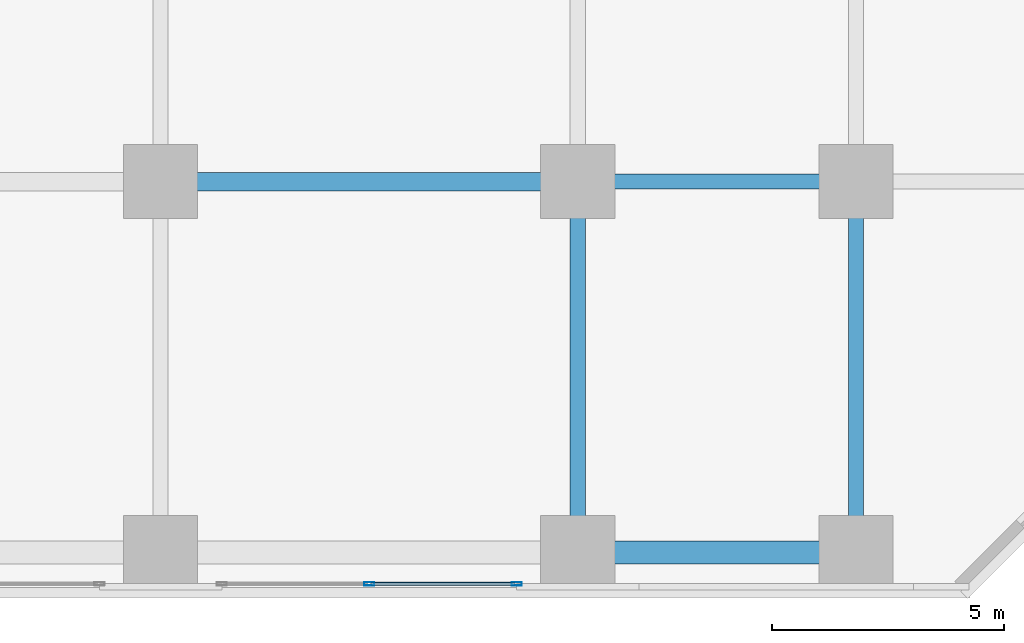
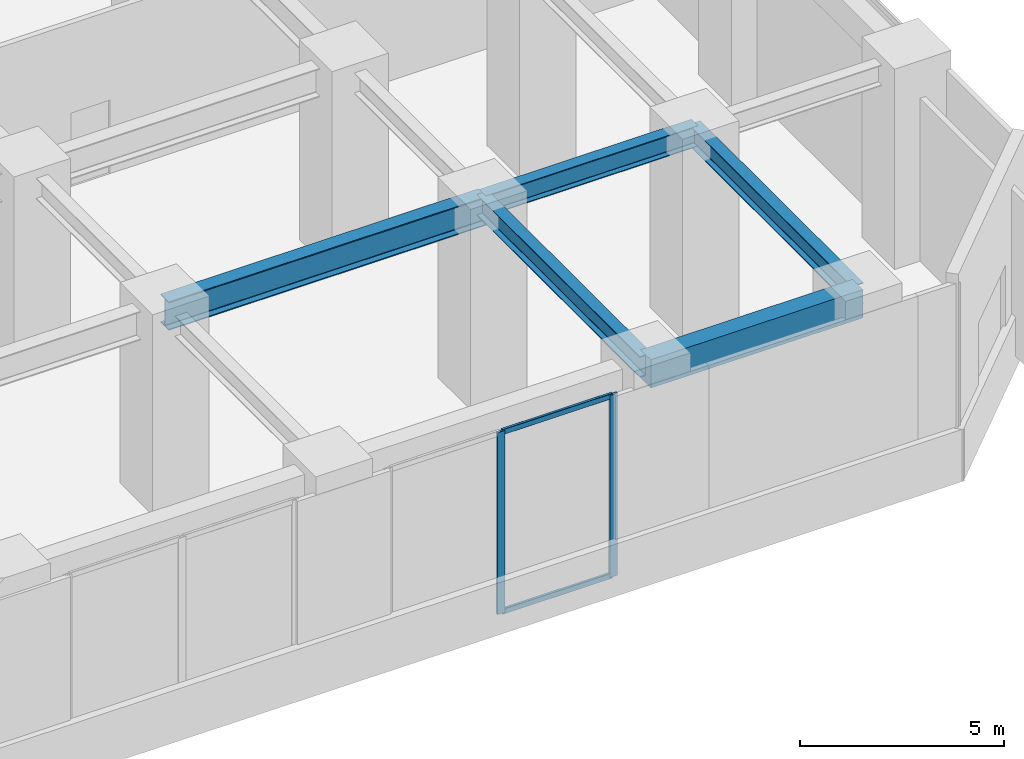
# One storey, part 9 of 34: 5 beams, 4 members, 1 element without a shape of its own.
"""IFC4 building model written with IfcOpenShell, lengths in metres."""

from ifc_helpers import new_model, si_unit, direction, frame, origin, origin_2d, place, context, subcontext, project, spatial, rectangle, hollow_rectangle, i_section, extrude, source, transform, mapped, material, material_profile, profile_set, type_object, element, aggregate, save


model = new_model("IFC4")

# Units and contexts
model_context = context("Model", 3, precision=1e-05, world=origin(), true_north=direction((0.0, 1.0)))
body_context = subcontext(model_context, "Body", "Model", "MODEL_VIEW")
ifc_project = project(units=[si_unit("LENGTHUNIT", "METRE"), si_unit("AREAUNIT", "SQUARE_METRE"), si_unit("VOLUMEUNIT", "CUBIC_METRE"), si_unit("PLANEANGLEUNIT", "RADIAN"), si_unit("MASSUNIT", "GRAM", prefix="KILO")], contexts=[model_context])

# Site, building, storey
site_placement = place(None, origin())
site = spatial("IfcSite", under=ifc_project, at=site_placement, CompositionType="ELEMENT")
building_placement = place(site_placement, origin())
building = spatial("IfcBuilding", under=site, at=building_placement, Name="Torre Montelarca", CompositionType="ELEMENT")
storey_placement = place(building_placement, frame((0.0, 0.0, 6.0)))
storey = spatial("IfcBuildingStorey", under=building, at=storey_placement, Name="L02", CompositionType="ELEMENT", Elevation=6.0)

# Beams
ifc_material_1 = material(Name="Concrete C55/67", Category="concrete")
ifc_material_profile_1 = material_profile(ifc_material_1, rectangle(XDim=0.5, YDim=0.85009765625, at=origin_2d()), Name="RCB500X850", Category="concrete")
ifc_profile_set_1 = profile_set([ifc_material_profile_1], Name="Concrete C55/67")
beam_type_1 = type_object("IfcBeamType", Name="BM-SP-RC850-EXT", PredefinedType="SPANDREL", material=ifc_profile_set_1)
shared_shape_1 = source(origin(), body_context, "Body", "SweptSolid", [
    extrude(rectangle(XDim=0.5, YDim=0.85009765625, at=origin_2d()), origin(), (0.0, 0.0, 1.0), 6.0),
])
beam_1_placement = place(storey_placement, frame((36.0, 0.0, 5.31494140625), z_axis=(1.0, 0.0, 0.0), x_axis=(0.0, 1.0, 0.0)))
element("IfcBeam", 1, at=beam_1_placement, inside=storey, type_object=beam_type_1, Name="L02 Grid Girder X 36.0-42.0 at Y=0.0", PredefinedType="SPANDREL", context=body_context, shape_type="MappedRepresentation", body=[
    mapped(shared_shape_1, transform((0.0, 0.0, 0.0), scale=1.0)),
])
ifc_material_2 = material(Name="Steel ASTM A992 Grade 50", Category="steel")
ifc_material_profile_2 = material_profile(ifc_material_2, i_section(OverallWidth=0.39990234375, OverallDepth=0.85498046875, WebThickness=0.018310546875, FlangeThickness=0.029296875, FilletRadius=0.02001953125, at=origin_2d()), Name="W840X299", Category="steel")
ifc_profile_set_2 = profile_set([ifc_material_profile_2], Name="Steel ASTM A992 Grade 50")
beam_type_2 = type_object("IfcBeamType", Name="BM-G-W840", PredefinedType="BEAM", material=ifc_profile_set_2)
shared_shape_2 = source(origin(), body_context, "Body", "SweptSolid", [
    extrude(i_section(OverallWidth=0.39990234375, OverallDepth=0.85498046875, WebThickness=0.018310546875, FlangeThickness=0.029296875, FilletRadius=0.02001953125, at=origin_2d()), origin(), (0.0, 0.0, 1.0), 9.0),
])
beam_2_placement = place(storey_placement, frame((27.0, 8.0, 5.31201171875), z_axis=(1.0, 0.0, 0.0), x_axis=(0.0, 1.0, 0.0)))
element("IfcBeam", 2, at=beam_2_placement, inside=storey, type_object=beam_type_2, Name="L02 Grid Girder X 27.0-36.0 at Y=8.0", PredefinedType="BEAM", context=body_context, shape_type="MappedRepresentation", body=[
    mapped(shared_shape_2, transform((0.0, 0.0, 0.0), scale=1.0)),
])
ifc_material_profile_3 = material_profile(ifc_material_2, i_section(OverallWidth=0.326904296875, OverallDepth=0.6220703125, WebThickness=0.015380859375, FlangeThickness=0.0244140625, FilletRadius=0.014892578125, at=origin_2d()), Name="W610X195", Category="steel")
ifc_profile_set_3 = profile_set([ifc_material_profile_3], Name="Steel ASTM A992 Grade 50")
beam_type_3 = type_object("IfcBeamType", Name="BM-G-W610H", PredefinedType="BEAM", material=ifc_profile_set_3)
shared_shape_3 = source(origin(), body_context, "Body", "SweptSolid", [
    extrude(i_section(OverallWidth=0.326904296875, OverallDepth=0.6220703125, WebThickness=0.015380859375, FlangeThickness=0.0244140625, FilletRadius=0.014892578125, at=origin_2d()), origin(), (0.0, 0.0, 1.0), 6.0),
])
beam_3_placement = place(storey_placement, frame((36.0, 8.0, 5.428955078125), z_axis=(1.0, 0.0, 0.0), x_axis=(0.0, 1.0, 0.0)))
element("IfcBeam", 3, at=beam_3_placement, inside=storey, type_object=beam_type_3, Name="L02 Grid Girder X 36.0-42.0 at Y=8.0", PredefinedType="BEAM", context=body_context, shape_type="MappedRepresentation", body=[
    mapped(shared_shape_3, transform((0.0, 0.0, 0.0), scale=1.0)),
])
shared_shape_4 = source(origin(), body_context, "Body", "SweptSolid", [
    extrude(i_section(OverallWidth=0.326904296875, OverallDepth=0.6220703125, WebThickness=0.015380859375, FlangeThickness=0.0244140625, FilletRadius=0.014892578125, at=origin_2d()), origin(), (0.0, 0.0, 1.0), 8.0),
])
for number, where, z_axis, x_axis, name in (
    (4, (36.0, 0.0, 5.428955078125), (0.0, 1.0, 0.0), (-1.0, 0.0, 0.0), "L02 Grid Girder Y 0.0-8.0 at X=36.0"),
    (5, (42.0, 0.0, 5.428955078125), (0.0, 1.0, 0.0), (-1.0, 0.0, 0.0), "L02 Grid Girder Y 0.0-8.0 at X=42.0"),
):
    element("IfcBeam", number, at=place(storey_placement, frame(where, z_axis=z_axis, x_axis=x_axis)), inside=storey, type_object=beam_type_3, Name=name, PredefinedType="BEAM", context=body_context, shape_type="MappedRepresentation", body=[
        mapped(shared_shape_4, transform((0.0, 0.0, 0.0), scale=1.0)),
    ])

# Curtain wall, members
ifc_material_3 = material(Name="Insulated low-E laminated glass", Category="glass")
curtain_wall_type = type_object("IfcCurtainWallType", Name="CW-SYS-POD2", PredefinedType="USERDEFINED", material=ifc_material_3)
curtain_wall_placement = place(storey_placement, origin())
curtain_wall = element("IfcCurtainWall", 6, at=curtain_wall_placement, inside=storey, type_object=curtain_wall_type, Name="L02 Curtain Wall Run CW-T3-L02-E01-B3", ObjectType="UNITISED GLAZING", PredefinedType="USERDEFINED")
ifc_material_4 = material(Name="Anodised aluminium AA 6063-T6", Category="aluminium")
ifc_material_profile_4 = material_profile(ifc_material_4, hollow_rectangle(XDim=0.074951171875, YDim=0.219970703125, WallThickness=0.0048828125, InnerFilletRadius=0.0048828125, OuterFilletRadius=0.010009765625, at=origin_2d()), Name="ALU75X220X5", Category="aluminium")
ifc_profile_set_4 = profile_set([ifc_material_profile_4], Name="Anodised aluminium AA 6063-T6")
member_type_1 = type_object("IfcMemberType", Name="CWM-ALU220", PredefinedType="MULLION", material=ifc_profile_set_4)
shared_shape_5 = source(origin(), body_context, "Body", "SweptSolid", [
    extrude(hollow_rectangle(XDim=0.074951171875, YDim=0.219970703125, WallThickness=0.0048828125, InnerFilletRadius=0.0048828125, OuterFilletRadius=0.010009765625, at=origin_2d()), origin(), (0.0, 0.0, 1.0), 5.449951171875),
])
member_1_placement = place(storey_placement, frame((31.5, -0.679931640625, 0.0), z_axis=(0.0, 0.0, 1.0), x_axis=(0.0, 1.0, 0.0)))
member_1 = element("IfcMember", 7, at=member_1_placement, type_object=member_type_1, Name="CW mullion 2", PredefinedType="MULLION", context=body_context, shape_type="MappedRepresentation", body=[
    mapped(shared_shape_5, transform((0.0, 0.0, 0.0), scale=1.0)),
])
member_2_placement = place(storey_placement, frame((34.6826171875, -0.679931640625, 0.0), z_axis=(0.0, 0.0, 1.0), x_axis=(0.0, 1.0, 0.0)))
member_2 = element("IfcMember", 8, at=member_2_placement, type_object=member_type_1, Name="CW mullion 3", PredefinedType="MULLION", context=body_context, shape_type="MappedRepresentation", body=[
    mapped(shared_shape_5, transform((0.0, 0.0, 0.0), scale=1.0)),
])
ifc_material_profile_5 = material_profile(ifc_material_4, hollow_rectangle(XDim=0.074951171875, YDim=0.159912109375, WallThickness=0.0048828125, InnerFilletRadius=0.0048828125, OuterFilletRadius=0.010009765625, at=origin_2d()), Name="ALU75X160X5", Category="aluminium")
ifc_profile_set_5 = profile_set([ifc_material_profile_5], Name="Anodised aluminium AA 6063-T6")
member_type_2 = type_object("IfcMemberType", Name="CWT-ALU160", PredefinedType="USERDEFINED", material=ifc_profile_set_5)
shared_shape_6 = source(origin(), body_context, "Body", "SweptSolid", [
    extrude(hollow_rectangle(XDim=0.074951171875, YDim=0.159912109375, WallThickness=0.0048828125, InnerFilletRadius=0.0048828125, OuterFilletRadius=0.010009765625, at=origin_2d()), origin(), (0.0, 0.0, 1.0), 3.107421875),
])
member_3_placement = place(storey_placement, frame((31.53759765625, -0.679931640625, 0.03759765625), z_axis=(1.0, 0.0, 0.0), x_axis=(0.0, 1.0, 0.0)))
member_3 = element("IfcMember", 9, at=member_3_placement, type_object=member_type_2, Name="CW transom 2.1", ObjectType="TRANSOM", PredefinedType="USERDEFINED", context=body_context, shape_type="MappedRepresentation", body=[
    mapped(shared_shape_6, transform((0.0, 0.0, 0.0), scale=1.0)),
])
member_4_placement = place(storey_placement, frame((31.53759765625, -0.679931640625, 5.41259765625), z_axis=(1.0, 0.0, 0.0), x_axis=(0.0, 1.0, 0.0)))
member_4 = element("IfcMember", 10, at=member_4_placement, type_object=member_type_2, Name="CW transom 2.2", ObjectType="TRANSOM", PredefinedType="USERDEFINED", context=body_context, shape_type="MappedRepresentation", body=[
    mapped(shared_shape_6, transform((0.0, 0.0, 0.0), scale=1.0)),
])
aggregate(curtain_wall, [member_1, member_2, member_3, member_4])

save(model, "model.ifc")
